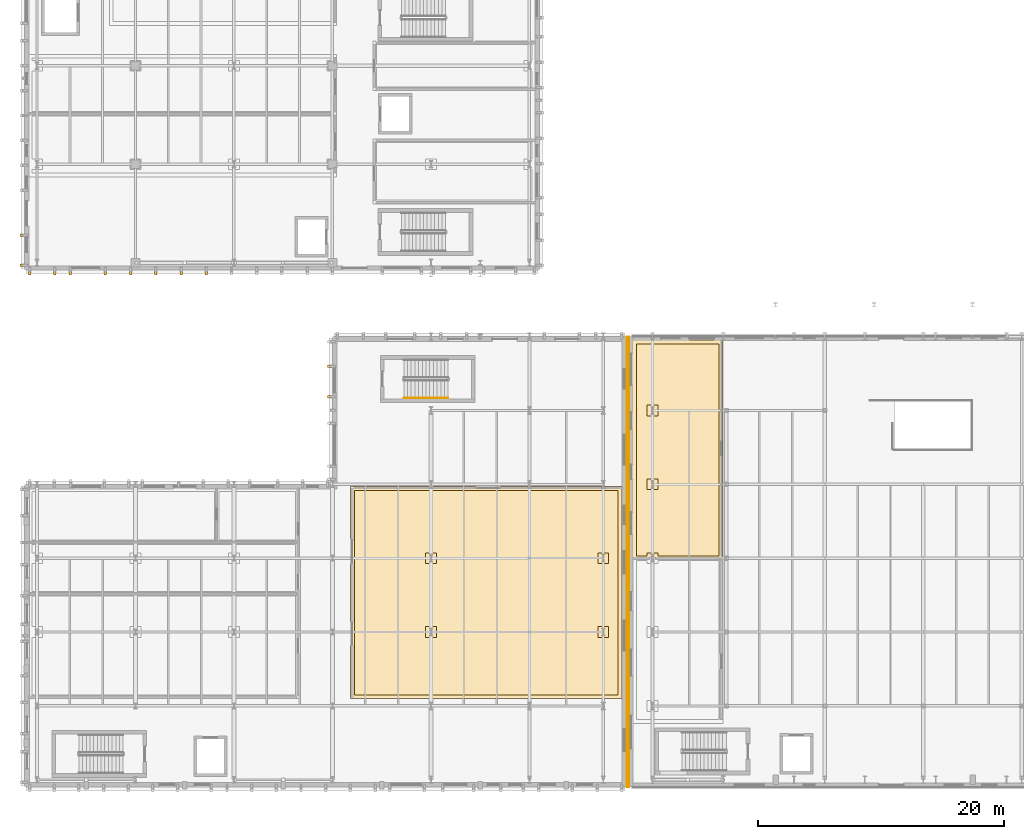
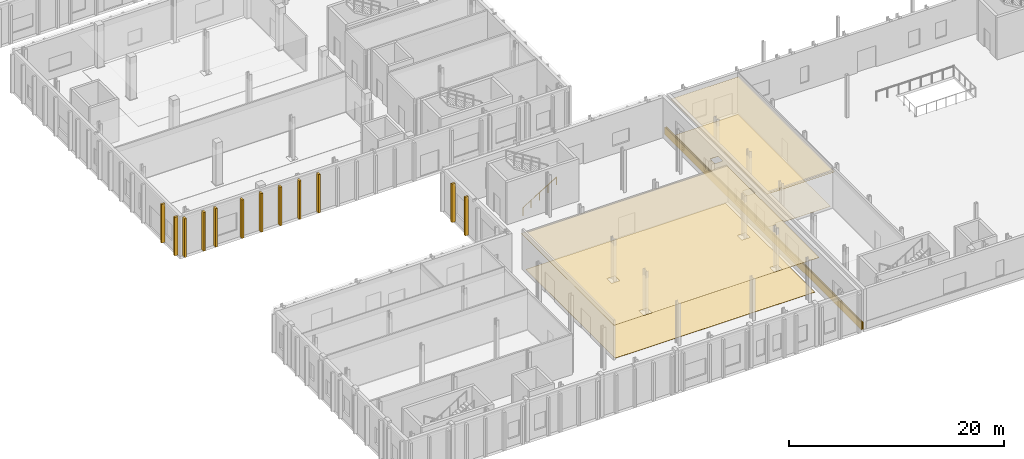
# One storey, part 43 of 60: 18 coverings, 1 railing.
"""IFC4 building model written with IfcOpenShell, lengths in metres."""

from ifc_helpers import new_model, si_unit, direction, frame, frame_2d, origin, origin_2d, place, context, subcontext, project, spatial, polyline, rectangle, circle, outline, extrude, material, layer, layer_set, type_object, element, save


model = new_model("IFC4")

# Units and contexts
model_context = context("Model", 3, precision=1e-05, world=origin(), true_north=direction((0.0, 1.0)))
body_context = subcontext(model_context, "Body", "Model", "MODEL_VIEW")
ifc_project = project(units=[si_unit("LENGTHUNIT", "METRE"), si_unit("AREAUNIT", "SQUARE_METRE"), si_unit("VOLUMEUNIT", "CUBIC_METRE"), si_unit("PLANEANGLEUNIT", "RADIAN"), si_unit("MASSUNIT", "GRAM", prefix="KILO")], contexts=[model_context])

# Site, building, storey
site_placement = place(None, origin())
site = spatial("IfcSite", under=ifc_project, at=site_placement, CompositionType="ELEMENT")
building_placement = place(site_placement, origin())
building = spatial("IfcBuilding", under=site, at=building_placement, Name="Cymarion Research Institute", CompositionType="ELEMENT")
storey_placement = place(building_placement, origin())
storey = spatial("IfcBuildingStorey", under=building, at=storey_placement, Name="L00", CompositionType="ELEMENT", Elevation=0.0)

# Coverings
ifc_material_1 = material(Name="Micro-perforated mineral acoustic ceiling tile", Category="gypsum")
ifc_layer_1 = layer(ifc_material_1, 0.030029296875)
ifc_layer_set_1 = layer_set([ifc_layer_1], Name="Micro-perforated mineral acoustic ceiling tile")
covering_type_1 = type_object("IfcCoveringType", Name="ACOUSTIC MICRO-PERFORATED SUSPENDED CEILING CLG-01", PredefinedType="CEILING", material=ifc_layer_set_1)
covering_1_placement = place(storey_placement, frame((0.0, 0.0, 4.0)))
element("IfcCovering", 1, at=covering_1_placement, inside=storey, type_object=covering_type_1, Name="L00 Institute Science Cafe & Espresso Bar acoustic ceiling", PredefinedType="CEILING", context=body_context, shape_type="SweptSolid", body=[
    extrude(outline(polyline([(56.735107421875, 23.635009765625), (56.465087890625, 23.635009765625), (56.465087890625, 23.385009765625), (54.985107421875, 23.385009765625), (54.985107421875, 41.215087890625), (62.31494140625, 41.215087890625), (62.31494140625, 23.385009765625), (56.735107421875, 23.385009765625), (56.735107421875, 23.635009765625)])), origin(), (0.0, 0.0, 1.0), 0.030029296875),
])
covering_2_placement = place(storey_placement, frame((0.0, 0.0, 4.0)))
element("IfcCovering", 2, at=covering_2_placement, inside=storey, type_object=covering_type_1, Name="L00 280-Seat Raked Natural Sciences Lecture Auditorium acoustic ceiling", PredefinedType="CEILING", context=body_context, shape_type="SweptSolid", body=[
    extrude(outline(polyline([(54.114990234375, 29.31494140625), (54.114990234375, 12.0849609375), (32.0849609375, 12.0849609375), (32.0849609375, 29.31494140625), (54.114990234375, 29.31494140625)])), origin(), (0.0, 0.0, 1.0), 0.030029296875),
])
ifc_material_2 = material(Name="Precast concrete C45/55 architectural white", Category="concrete")
ifc_layer_2 = layer(ifc_material_2, 0.199951171875)
ifc_layer_set_2 = layer_set([ifc_layer_2], Name="Precast concrete C45/55 architectural white")
covering_type_2 = type_object("IfcCoveringType", Name="SCULPTURAL WHITE PRECAST CONCRETE VERTICAL RIB RIB1 380X200", PredefinedType="CLADDING", material=ifc_layer_set_2)
for number, where, z_axis, x_axis, name in (
    (3, (30.407958984375, 39.089111328125, 0.010009765625), (0.0, 0.0, 1.0), (-1.0, 0.0, 0.0), "L00 V3 sculptural precast vertical rib RIB1 #40"),
    (4, (30.407958984375, 36.6201171875, 0.010009765625), (0.0, 0.0, 1.0), (-1.0, 0.0, 0.0), "L00 V3 sculptural precast vertical rib RIB1 #41"),
    (5, (6.0, 46.7080078125, 0.010009765625), (0.0, 0.0, 1.0), (0.0, -1.0, 0.0), "L00 V4 sculptural precast vertical rib RIB1 #72"),
    (6, (8.050048828125, 46.7080078125, 0.010009765625), (0.0, 0.0, 1.0), (0.0, -1.0, 0.0), "L00 V4 sculptural precast vertical rib RIB1 #73"),
    (7, (9.31494140625, 46.7080078125, 0.010009765625), (0.0, 0.0, 1.0), (0.0, -1.0, 0.0), "L00 V4 sculptural precast vertical rib RIB1 #74"),
    (8, (12.14990234375, 46.7080078125, 0.010009765625), (0.0, 0.0, 1.0), (0.0, -1.0, 0.0), "L00 V4 sculptural precast vertical rib RIB1 #75"),
    (9, (14.199951171875, 46.7080078125, 0.010009765625), (0.0, 0.0, 1.0), (0.0, -1.0, 0.0), "L00 V4 sculptural precast vertical rib RIB1 #76"),
    (10, (16.25, 46.7080078125, 0.010009765625), (0.0, 0.0, 1.0), (0.0, -1.0, 0.0), "L00 V4 sculptural precast vertical rib RIB1 #77"),
    (11, (18.300048828125, 46.7080078125, 0.010009765625), (0.0, 0.0, 1.0), (0.0, -1.0, 0.0), "L00 V4 sculptural precast vertical rib RIB1 #78"),
    (12, (20.35009765625, 46.7080078125, 0.010009765625), (0.0, 0.0, 1.0), (0.0, -1.0, 0.0), "L00 V4 sculptural precast vertical rib RIB1 #79"),
    (13, (5.407958984375, 49.715087890625, 0.010009765625), (0.0, 0.0, 1.0), (-1.0, 0.0, 0.0), "L00 V4 sculptural precast vertical rib RIB1 #143"),
    (14, (5.407958984375, 47.300048828125, 0.010009765625), (0.0, 0.0, 1.0), (-1.0, 0.0, 0.0), "L00 V4 sculptural precast vertical rib RIB1 #144"),
):
    element("IfcCovering", number, at=place(storey_placement, frame(where, z_axis=z_axis, x_axis=x_axis)), inside=storey, type_object=covering_type_2, Name=name, PredefinedType="CLADDING", context=body_context, shape_type="SweptSolid", body=[
        extrude(rectangle(XDim=0.3798828125, YDim=0.199951171875, at=origin_2d()), origin(), (0.0, 0.0, 1.0), 4.375),
    ])
ifc_material_3 = material(Name="Seamless dissipative epoxy resin flooring", Category="resin")
ifc_layer_3 = layer(ifc_material_3, 0.02001953125)
ifc_layer_set_3 = layer_set([ifc_layer_3], Name="Seamless dissipative epoxy resin flooring")
covering_type_3 = type_object("IfcCoveringType", Name="SEAMLESS ESD EPOXY LABORATORY FLOORING FLR-01", PredefinedType="FLOORING", material=ifc_layer_set_3)
covering_3_placement = place(storey_placement, origin())
element("IfcCovering", 15, at=covering_3_placement, inside=storey, type_object=covering_type_3, Name="L00 Institute Science Cafe & Espresso Bar ESD epoxy flooring", PredefinedType="FLOORING", context=body_context, shape_type="SweptSolid", body=[
    extrude(outline(polyline([(57.034912109375, 23.68505859375), (57.034912109375, 23.93505859375), (56.1650390625, 23.93505859375), (56.1650390625, 23.68505859375), (55.284912109375, 23.68505859375), (55.284912109375, 40.9150390625), (62.014892578125, 40.9150390625), (62.014892578125, 23.68505859375), (57.034912109375, 23.68505859375)]), holes=[polyline([(57.034912109375, 29.93505859375), (56.1650390625, 29.93505859375), (56.1650390625, 29.06494140625), (57.034912109375, 29.06494140625), (57.034912109375, 29.93505859375)]), polyline([(57.034912109375, 35.93505859375), (56.1650390625, 35.93505859375), (56.1650390625, 35.06494140625), (57.034912109375, 35.06494140625), (57.034912109375, 35.93505859375)])]), origin(), (0.0, 0.0, 1.0), 0.02001953125),
])
covering_4_placement = place(storey_placement, origin())
element("IfcCovering", 16, at=covering_4_placement, inside=storey, type_object=covering_type_3, Name="L00 280-Seat Raked Natural Sciences Lecture Auditorium ESD epoxy flooring", PredefinedType="FLOORING", context=body_context, shape_type="SweptSolid", body=[
    extrude(outline(polyline([(32.385009765625, 29.014892578125), (53.81494140625, 29.014892578125), (53.81494140625, 12.385009765625), (32.385009765625, 12.385009765625), (32.385009765625, 29.014892578125)]), holes=[polyline([(53.034912109375, 17.93505859375), (52.1650390625, 17.93505859375), (52.1650390625, 17.06494140625), (53.034912109375, 17.06494140625), (53.034912109375, 17.93505859375)]), polyline([(53.034912109375, 23.93505859375), (52.1650390625, 23.93505859375), (52.1650390625, 23.06494140625), (53.034912109375, 23.06494140625), (53.034912109375, 23.93505859375)]), polyline([(39.034912109375, 17.93505859375), (38.1650390625, 17.93505859375), (38.1650390625, 17.06494140625), (39.034912109375, 17.06494140625), (39.034912109375, 17.93505859375)]), polyline([(39.034912109375, 23.93505859375), (38.1650390625, 23.93505859375), (38.1650390625, 23.06494140625), (39.034912109375, 23.06494140625), (39.034912109375, 23.93505859375)])]), origin(), (0.0, 0.0, 1.0), 0.02001953125),
])

# Railing
ifc_material_4 = material(Name="Steel S355", Category="steel")
railing_type = type_object("IfcRailingType", Name="STAINLESS STEEL STAIR HANDRAIL HR1 900MM", PredefinedType="HANDRAIL", material=ifc_material_4)
railing_placement = place(storey_placement, frame((36.39990234375, 36.5, 0.1845703125)))
element("IfcRailing", 17, at=railing_placement, inside=storey, type_object=railing_type, Name="L00 ST6 stair handrail 1", PredefinedType="HANDRAIL", context=body_context, shape_type="SweptSolid", body=[
    extrude(circle(Radius=0.02392578125, at=origin_2d()), frame((0.0, 0.0, 0.8759765625), z_axis=(0.85167021472, 0.0, 0.524078090897), x_axis=(0.0, 1.0, 0.0)), (0.0, 0.0, 1.0), 4.22705078125),
    extrude(circle(Radius=0.02099609375, at=origin_2d()), origin(), (0.0, 0.0, 1.0), 0.851806640625),
    extrude(circle(Radius=0.02099609375, at=origin_2d()), frame((0.89990234375, 0.0, 0.5537109375)), (0.0, 0.0, 1.0), 0.851806640625),
    extrude(circle(Radius=0.02099609375, at=origin_2d()), frame((1.800048828125, 0.0, 1.107666015625)), (0.0, 0.0, 1.0), 0.851806640625),
    extrude(circle(Radius=0.02099609375, at=origin_2d()), frame((2.7001953125, 0.0, 1.66162109375)), (0.0, 0.0, 1.0), 0.851806640625),
    extrude(circle(Radius=0.02099609375, at=origin_2d()), frame((3.60009765625, 0.0, 2.21533203125)), (0.0, 0.0, 1.0), 0.851806640625),
])

# Coverings
ifc_material_5 = material(Name="Campanian volcanic piperno stone rainscreen", Category="masonry")
ifc_layer_4 = layer(ifc_material_5, 0.050048828125)
ifc_layer_set_4 = layer_set([ifc_layer_4], Name="Campanian volcanic piperno stone rainscreen")
covering_type_4 = type_object("IfcCoveringType", Name="VENTILATED TUFF STONE SPANDREL CLADDING COV-CL01", PredefinedType="CLADDING", material=ifc_layer_set_4)
for number, where, z_axis, x_axis, name in (
    (18, (54.675048828125, 41.5, 0.0), (0.0, 0.0, 1.0), (0.0, -1.0, 0.0), "L00 V2 volcanic piperno stone spandrel cladding #5"),
    (19, (54.52490234375, 4.89990234375, 0.0), (0.0, 0.0, 1.0), (0.0, 1.0, 0.0), "L00 V3 volcanic piperno stone spandrel cladding #6"),
):
    element("IfcCovering", number, at=place(storey_placement, frame(where, z_axis=z_axis, x_axis=x_axis)), inside=storey, type_object=covering_type_4, Name=name, PredefinedType="CLADDING", context=body_context, shape_type="SweptSolid", body=[
        extrude(rectangle(XDim=36.60009765625, YDim=0.050048828125, at=frame_2d((18.300048828125, 0.0))), origin(), (0.0, 0.0, 1.0), 0.860107421875),
    ])

save(model, "model.ifc")
